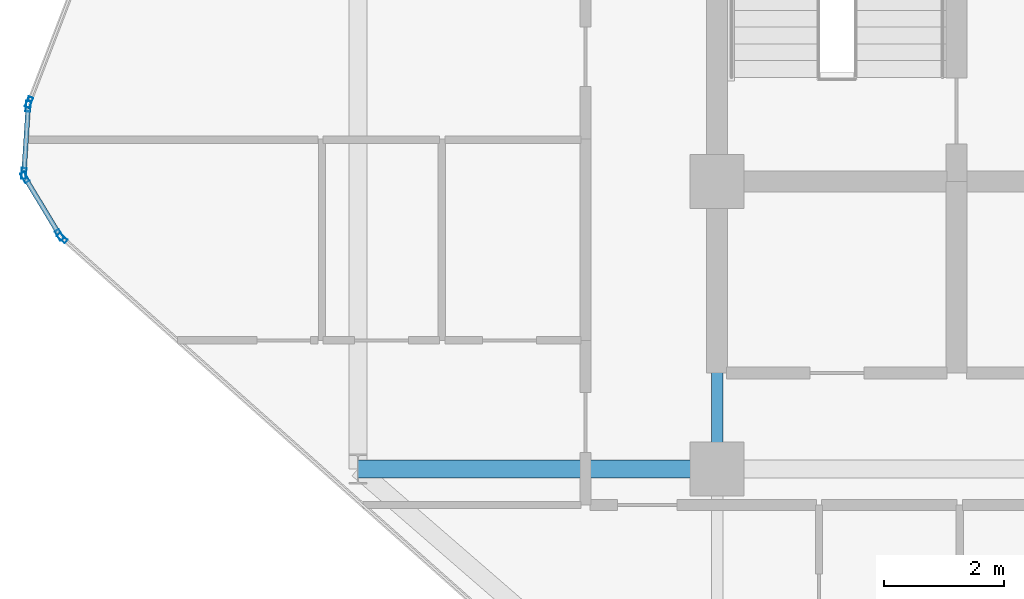
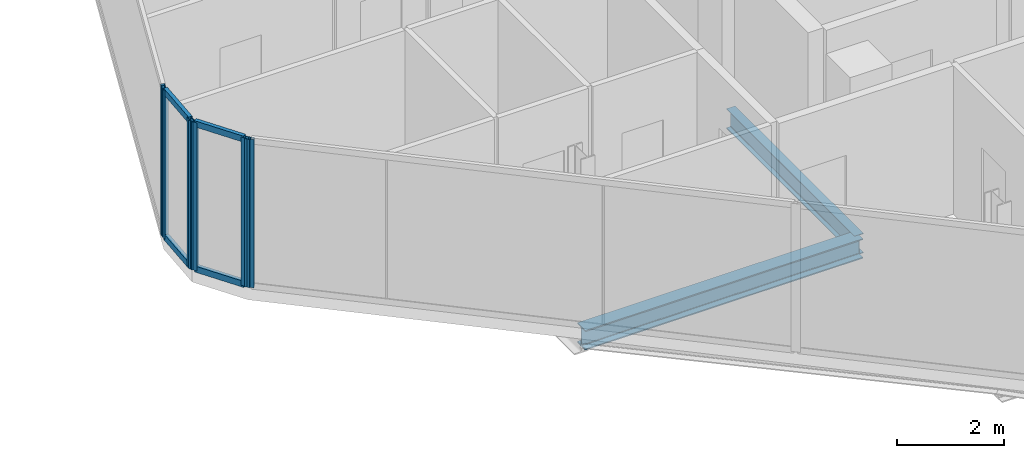
# One storey, part 7 of 31: 10 members, 2 beams, 4 elements without a shape of their own.
"""IFC4 building model written with IfcOpenShell, lengths in metres."""

from ifc_helpers import new_model, si_unit, direction, frame, origin, origin_2d, place, context, subcontext, project, spatial, hollow_rectangle, i_section, extrude, material, layer, layer_set, material_profile, profile_set, type_object, element, aggregate, save


model = new_model("IFC4")

# Units and contexts
model_context = context("Model", 3, precision=1e-05, world=origin(), true_north=direction((0.0, 1.0)))
body_context = subcontext(model_context, "Body", "Model", "MODEL_VIEW")
ifc_project = project(units=[si_unit("LENGTHUNIT", "METRE"), si_unit("AREAUNIT", "SQUARE_METRE"), si_unit("VOLUMEUNIT", "CUBIC_METRE"), si_unit("PLANEANGLEUNIT", "RADIAN"), si_unit("MASSUNIT", "GRAM", prefix="KILO")], contexts=[model_context])

# Site, building, storey
site_placement = place(None, origin())
site = spatial("IfcSite", under=ifc_project, at=site_placement, CompositionType="ELEMENT")
building_placement = place(site_placement, origin())
building = spatial("IfcBuilding", under=site, at=building_placement, Name="Keshet Zoharim Tower", CompositionType="ELEMENT")
storey_placement = place(building_placement, frame((0.0, 0.0, 129.800048828125)))
storey = spatial("IfcBuildingStorey", under=building, at=storey_placement, Name="L31", CompositionType="ELEMENT", Elevation=129.800048828125)

# Beams
ifc_material_1 = material(Name="Steel S355", Category="steel")
ifc_material_profile_1 = material_profile(ifc_material_1, i_section(OverallWidth=0.18994140625, OverallDepth=0.449951171875, WebThickness=0.009521484375, FlangeThickness=0.0146484375, FilletRadius=0.02099609375, at=origin_2d()), Name="IPE450")
ifc_profile_set_1 = profile_set([ifc_material_profile_1], Name="Steel S355")
beam_type_1 = type_object("IfcBeamType", Name="BM-PRI-IP450", PredefinedType="BEAM", material=ifc_profile_set_1)
beam_1_placement = place(storey_placement, frame((15.0, 17.89990234375, -0.5400390625), z_axis=(0.0, 1.0, 0.0), x_axis=(-1.0, 0.0, 0.0)))
element("IfcBeam", 1, at=beam_1_placement, inside=storey, type_object=beam_type_1, Name="L31 Primary Girder Y-003", PredefinedType="BEAM", context=body_context, shape_type="SweptSolid", body=[
    extrude(i_section(OverallWidth=0.18994140625, OverallDepth=0.449951171875, WebThickness=0.009521484375, FlangeThickness=0.0146484375, FilletRadius=0.02099609375, at=origin_2d()), origin(), (0.0, 0.0, 1.0), 4.800048828125),
])
ifc_material_profile_2 = material_profile(ifc_material_1, i_section(OverallWidth=0.300048828125, OverallDepth=0.449951171875, WebThickness=0.013916015625, FlangeThickness=0.02587890625, FilletRadius=0.027099609375, at=origin_2d()), Name="HEB450")
ifc_profile_set_2 = profile_set([ifc_material_profile_2], Name="Steel S355")
beam_type_2 = type_object("IfcBeamType", Name="BM-WEB-HB450", PredefinedType="BEAM", material=ifc_profile_set_2)
beam_2_placement = place(storey_placement, frame((9.0, 17.89990234375, -0.5400390625), z_axis=(1.0, 0.0, 0.0), x_axis=(0.0, 1.0, 0.0)))
element("IfcBeam", 2, at=beam_2_placement, inside=storey, type_object=beam_type_2, Name="L31 Primary Girder X-011", PredefinedType="BEAM", context=body_context, shape_type="SweptSolid", body=[
    extrude(i_section(OverallWidth=0.300048828125, OverallDepth=0.449951171875, WebThickness=0.013916015625, FlangeThickness=0.02587890625, FilletRadius=0.027099609375, at=origin_2d()), origin(), (0.0, 0.0, 1.0), 6.0),
])

# Curtain wall, member
ifc_material_2 = material(Name="Aluminium 6063-T6", Category="aluminium")
ifc_layer = layer(ifc_material_2, 0.159912109375)
ifc_layer_set = layer_set([ifc_layer], Name="Aluminium 6063-T6")
curtain_wall_type = type_object("IfcCurtainWallType", Name="CW-SYS-03", PredefinedType="NOTDEFINED", material=ifc_layer_set)
curtain_wall_1_placement = place(storey_placement, origin())
curtain_wall_1 = element("IfcCurtainWall", 3, at=curtain_wall_1_placement, inside=storey, type_object=curtain_wall_type, Name="L31 Unitised Curtain Wall 07 Part 2", PredefinedType="NOTDEFINED")
ifc_material_profile_3 = material_profile(ifc_material_2, hollow_rectangle(XDim=0.080078125, YDim=0.179931640625, WallThickness=0.00439453125, at=origin_2d()), Name="MUL-80x180")
ifc_profile_set_3 = profile_set([ifc_material_profile_3], Name="Aluminium 6063-T6")
member_type_1 = type_object("IfcMemberType", Name="CWM-M18", PredefinedType="MULLION", material=ifc_profile_set_3)
member_1_placement = place(storey_placement, frame((4.061279296875, 21.7568359375, 0.0), z_axis=(0.0, 0.0, 1.0), x_axis=(-0.664363542589, -0.747409582009, 0.0)))
member_1 = element("IfcMember", 4, at=member_1_placement, type_object=member_type_1, Name="CW-03 mullion 3", PredefinedType="MULLION", context=body_context, shape_type="SweptSolid", body=[
    extrude(hollow_rectangle(XDim=0.080078125, YDim=0.179931640625, WallThickness=0.00439453125, at=origin_2d()), origin(), (0.0, 0.0, 1.0), 3.385009765625),
])
aggregate(curtain_wall_1, [member_1])

# Curtain wall, members
curtain_wall_2_placement = place(storey_placement, origin())
curtain_wall_2 = element("IfcCurtainWall", 5, at=curtain_wall_2_placement, inside=storey, type_object=curtain_wall_type, Name="L31 Unitised Curtain Wall 08", PredefinedType="NOTDEFINED")
member_2_placement = place(storey_placement, frame((4.016845703125, 21.81005859375, 0.0), z_axis=(0.0, 0.0, 1.0), x_axis=(-0.856826433805, -0.515604947933, 0.0)))
member_2 = element("IfcMember", 6, at=member_2_placement, type_object=member_type_1, Name="CW-03 mullion 1", PredefinedType="MULLION", context=body_context, shape_type="SweptSolid", body=[
    extrude(hollow_rectangle(XDim=0.080078125, YDim=0.179931640625, WallThickness=0.00439453125, at=origin_2d()), origin(), (0.0, 0.0, 1.0), 3.385009765625),
])
member_3_placement = place(storey_placement, frame((3.43798828125, 22.77197265625, 0.0), z_axis=(0.0, 0.0, 1.0), x_axis=(-0.856826433805, -0.515604947933, 0.0)))
member_3 = element("IfcMember", 7, at=member_3_placement, type_object=member_type_1, Name="CW-03 mullion 2", PredefinedType="MULLION", context=body_context, shape_type="SweptSolid", body=[
    extrude(hollow_rectangle(XDim=0.080078125, YDim=0.179931640625, WallThickness=0.00439453125, at=origin_2d()), origin(), (0.0, 0.0, 1.0), 3.385009765625),
])

curtain_wall_3_placement = place(storey_placement, origin())
curtain_wall_3 = element("IfcCurtainWall", 8, at=curtain_wall_3_placement, inside=storey, type_object=curtain_wall_type, Name="L31 Unitised Curtain Wall 09", PredefinedType="NOTDEFINED")
member_4_placement = place(storey_placement, frame((3.42236328125, 22.8369140625, 0.0), z_axis=(0.0, 0.0, 1.0), x_axis=(-0.997916617186, 0.064516859374, 0.0)))
member_4 = element("IfcMember", 9, at=member_4_placement, type_object=member_type_1, Name="CW-03 mullion 1", PredefinedType="MULLION", context=body_context, shape_type="SweptSolid", body=[
    extrude(hollow_rectangle(XDim=0.080078125, YDim=0.179931640625, WallThickness=0.00439453125, at=origin_2d()), origin(), (0.0, 0.0, 1.0), 3.385009765625),
])
member_5_placement = place(storey_placement, frame((3.49462890625, 23.9580078125, 0.0), z_axis=(0.0, 0.0, 1.0), x_axis=(-0.997916617186, 0.064516859374, 0.0)))
member_5 = element("IfcMember", 10, at=member_5_placement, type_object=member_type_1, Name="CW-03 mullion 2", PredefinedType="MULLION", context=body_context, shape_type="SweptSolid", body=[
    extrude(hollow_rectangle(XDim=0.080078125, YDim=0.179931640625, WallThickness=0.00439453125, at=origin_2d()), origin(), (0.0, 0.0, 1.0), 3.385009765625),
])

# Curtain wall, member
curtain_wall_4_placement = place(storey_placement, origin())
curtain_wall_4 = element("IfcCurtainWall", 11, at=curtain_wall_4_placement, inside=storey, type_object=curtain_wall_type, Name="L31 Unitised Curtain Wall 10", PredefinedType="NOTDEFINED")
member_6_placement = place(storey_placement, frame((3.509521484375, 24.025634765625, 0.0), z_axis=(0.0, 0.0, 1.0), x_axis=(-0.933341404361, 0.358990003907, 0.0)))
member_6 = element("IfcMember", 12, at=member_6_placement, type_object=member_type_1, Name="CW-03 mullion 1", PredefinedType="MULLION", context=body_context, shape_type="SweptSolid", body=[
    extrude(hollow_rectangle(XDim=0.080078125, YDim=0.179931640625, WallThickness=0.00439453125, at=origin_2d()), origin(), (0.0, 0.0, 1.0), 3.385009765625),
])
aggregate(curtain_wall_4, [member_6])

# Member
ifc_material_profile_4 = material_profile(ifc_material_2, hollow_rectangle(XDim=0.080078125, YDim=0.139892578125, WallThickness=0.00390625, at=origin_2d()), Name="TRN-80x140")
ifc_profile_set_4 = profile_set([ifc_material_profile_4], Name="Aluminium 6063-T6")
member_type_2 = type_object("IfcMemberType", Name="CWT-T14", PredefinedType="USERDEFINED", material=ifc_profile_set_4)
member_7_placement = place(storey_placement, frame((3.9990234375, 21.840087890625, 0.034912109375), z_axis=(-0.515791194107, 0.856714330499, 0.0), x_axis=(-0.856714330499, -0.515791194107, 0.0)))
member_7 = element("IfcMember", 13, at=member_7_placement, type_object=member_type_2, Name="CW-03 transom 1.1", ObjectType="TRANSOM", PredefinedType="USERDEFINED", context=body_context, shape_type="SweptSolid", body=[
    extrude(hollow_rectangle(XDim=0.080078125, YDim=0.139892578125, WallThickness=0.00390625, at=origin_2d()), origin(), (0.0, 0.0, 1.0), 1.052734375),
])

member_8_placement = place(storey_placement, frame((3.9990234375, 21.840087890625, 3.349853515625), z_axis=(-0.515791194107, 0.856714330499, 0.0), x_axis=(-0.856714330499, -0.515791194107, 0.0)))
member_8 = element("IfcMember", 14, at=member_8_placement, type_object=member_type_2, Name="CW-03 transom 1.2", ObjectType="TRANSOM", PredefinedType="USERDEFINED", context=body_context, shape_type="SweptSolid", body=[
    extrude(hollow_rectangle(XDim=0.080078125, YDim=0.139892578125, WallThickness=0.00390625, at=origin_2d()), origin(), (0.0, 0.0, 1.0), 1.052734375),
])

aggregate(curtain_wall_2, [member_2, member_3, member_7, member_8])

member_9_placement = place(storey_placement, frame((3.424560546875, 22.871826171875, 0.034912109375), z_axis=(0.064426947155, 0.997922426083, 0.0), x_axis=(-0.997922426083, 0.064426947155, 0.0)))
member_9 = element("IfcMember", 15, at=member_9_placement, type_object=member_type_2, Name="CW-03 transom 1.1", ObjectType="TRANSOM", PredefinedType="USERDEFINED", context=body_context, shape_type="SweptSolid", body=[
    extrude(hollow_rectangle(XDim=0.080078125, YDim=0.139892578125, WallThickness=0.00390625, at=origin_2d()), origin(), (0.0, 0.0, 1.0), 1.053466796875),
])

member_10_placement = place(storey_placement, frame((3.424560546875, 22.871826171875, 3.349853515625), z_axis=(0.064426947155, 0.997922426083, 0.0), x_axis=(-0.997922426083, 0.064426947155, 0.0)))
member_10 = element("IfcMember", 16, at=member_10_placement, type_object=member_type_2, Name="CW-03 transom 1.2", ObjectType="TRANSOM", PredefinedType="USERDEFINED", context=body_context, shape_type="SweptSolid", body=[
    extrude(hollow_rectangle(XDim=0.080078125, YDim=0.139892578125, WallThickness=0.00390625, at=origin_2d()), origin(), (0.0, 0.0, 1.0), 1.053466796875),
])

aggregate(curtain_wall_3, [member_4, member_5, member_9, member_10])

save(model, "model.ifc")
